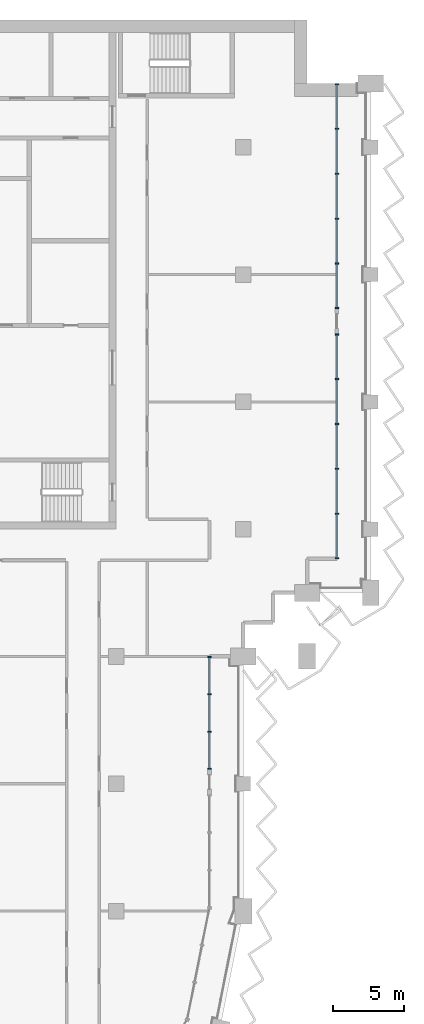
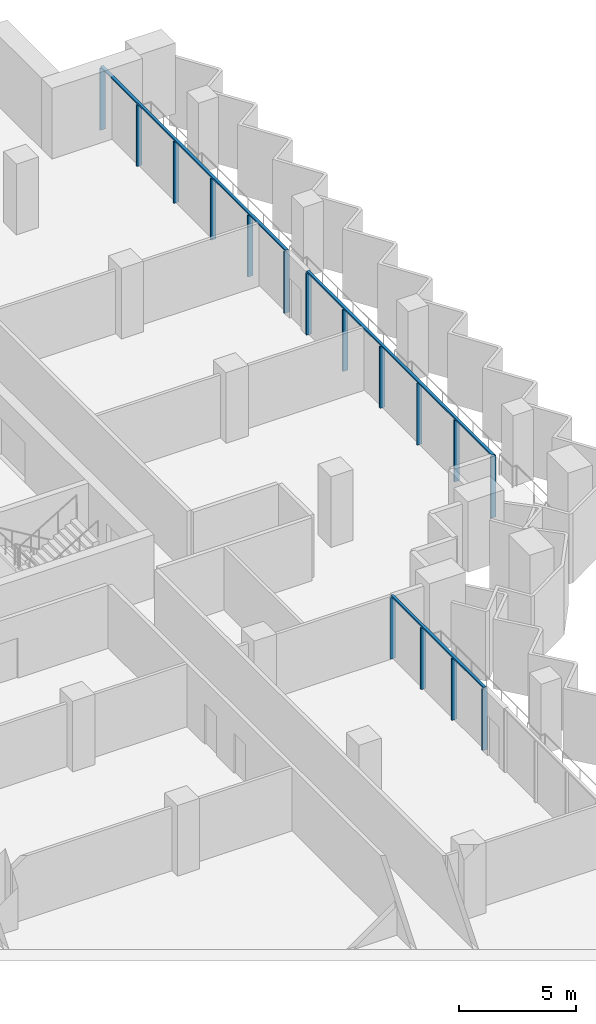
# One storey, part 3 of 18: 19 members, 3 elements without a shape of their own.
"""IFC4 building model written with IfcOpenShell, lengths in metres."""

from ifc_helpers import new_model, si_unit, direction, frame, origin, origin_2d, place, context, subcontext, project, spatial, rectangle, extrude, material, material_profile, profile_set, type_object, element, aggregate, save


model = new_model("IFC4")

# Units and contexts
model_context = context("Model", 3, precision=1e-05, world=origin(), true_north=direction((0.0, 1.0)))
body_context = subcontext(model_context, "Body", "Model", "MODEL_VIEW")
ifc_project = project(units=[si_unit("LENGTHUNIT", "METRE"), si_unit("AREAUNIT", "SQUARE_METRE"), si_unit("VOLUMEUNIT", "CUBIC_METRE"), si_unit("PLANEANGLEUNIT", "RADIAN"), si_unit("MASSUNIT", "GRAM", prefix="KILO")], contexts=[model_context])

# Site, building, storey
site_placement = place(None, origin())
site = spatial("IfcSite", under=ifc_project, at=site_placement, CompositionType="ELEMENT")
building_placement = place(site_placement, origin())
building = spatial("IfcBuilding", under=site, at=building_placement, Name="Hunhe Ridgeline Campus", CompositionType="ELEMENT")
storey_placement = place(building_placement, frame((0.0, 0.0, 182.800048828125)))
storey = spatial("IfcBuildingStorey", under=building, at=storey_placement, Name="L46", CompositionType="ELEMENT", Elevation=182.800048828125)

# Curtain wall, members
ifc_material = material(Name="Aluminium 6063", Category="aluminium")
curtain_wall_type = type_object("IfcCurtainWallType", Name="Curtain wall CW-4", PredefinedType="NOTDEFINED", material=ifc_material)
curtain_wall_1_placement = place(storey_placement, origin())
curtain_wall_1 = element("IfcCurtainWall", 1, at=curtain_wall_1_placement, inside=storey, type_object=curtain_wall_type, Name="Curtain wall 14", PredefinedType="NOTDEFINED")
ifc_material_profile_1 = material_profile(ifc_material, rectangle(XDim=0.25, YDim=0.080078125, at=origin_2d()))
ifc_profile_set_1 = profile_set([ifc_material_profile_1], Name="Aluminium 6063")
member_type_1 = type_object("IfcMemberType", Name="CW-4 aluminium mullion", PredefinedType="MULLION", material=ifc_profile_set_1)
member_1_placement = place(storey_placement, frame((42.59912109375, 46.05859375, 0.0), z_axis=(0.0, 0.0, 1.0), x_axis=(-0.999999999978, 6.639948e-06, 0.0)))
member_1 = element("IfcMember", 2, at=member_1_placement, type_object=member_type_1, Name="CW-4 mullion 1", PredefinedType="MULLION", context=body_context, shape_type="SweptSolid", body=[
    extrude(rectangle(XDim=0.25, YDim=0.080078125, at=origin_2d()), origin(), (0.0, 0.0, 1.0), 3.219970703125),
])
member_2_placement = place(storey_placement, frame((42.59912109375, 48.67919921875, 0.0), z_axis=(0.0, 0.0, 1.0), x_axis=(-0.999999999978, 6.639948e-06, 0.0)))
member_2 = element("IfcMember", 3, at=member_2_placement, type_object=member_type_1, Name="CW-4 mullion 2", PredefinedType="MULLION", context=body_context, shape_type="SweptSolid", body=[
    extrude(rectangle(XDim=0.25, YDim=0.080078125, at=origin_2d()), origin(), (0.0, 0.0, 1.0), 3.219970703125),
])
member_3_placement = place(storey_placement, frame((42.59912109375, 51.33984375, 0.0), z_axis=(0.0, 0.0, 1.0), x_axis=(-0.999999999978, 6.639948e-06, 0.0)))
member_3 = element("IfcMember", 4, at=member_3_placement, type_object=member_type_1, Name="CW-4 mullion 3", PredefinedType="MULLION", context=body_context, shape_type="SweptSolid", body=[
    extrude(rectangle(XDim=0.25, YDim=0.080078125, at=origin_2d()), origin(), (0.0, 0.0, 1.0), 3.219970703125),
])
member_4_placement = place(storey_placement, frame((42.59912109375, 53.96044921875, 0.0), z_axis=(0.0, 0.0, 1.0), x_axis=(-0.999999999978, 6.639948e-06, 0.0)))
member_4 = element("IfcMember", 5, at=member_4_placement, type_object=member_type_1, Name="CW-4 mullion 4", PredefinedType="MULLION", context=body_context, shape_type="SweptSolid", body=[
    extrude(rectangle(XDim=0.25, YDim=0.080078125, at=origin_2d()), origin(), (0.0, 0.0, 1.0), 3.219970703125),
])

curtain_wall_2_placement = place(storey_placement, origin())
curtain_wall_2 = element("IfcCurtainWall", 6, at=curtain_wall_2_placement, inside=storey, type_object=curtain_wall_type, Name="Curtain wall 15", PredefinedType="NOTDEFINED")
member_5_placement = place(storey_placement, frame((51.59912109375, 60.94091796875, 0.0), z_axis=(0.0, 0.0, 1.0), x_axis=(-1.0, 0.0, 0.0)))
member_5 = element("IfcMember", 7, at=member_5_placement, type_object=member_type_1, Name="CW-4 mullion 1", PredefinedType="MULLION", context=body_context, shape_type="SweptSolid", body=[
    extrude(rectangle(XDim=0.25, YDim=0.080078125, at=origin_2d()), origin(), (0.0, 0.0, 1.0), 3.219970703125),
])
member_6_placement = place(storey_placement, frame((51.59912109375, 64.080810546875, 0.0), z_axis=(0.0, 0.0, 1.0), x_axis=(-1.0, 0.0, 0.0)))
member_6 = element("IfcMember", 8, at=member_6_placement, type_object=member_type_1, Name="CW-4 mullion 2", PredefinedType="MULLION", context=body_context, shape_type="SweptSolid", body=[
    extrude(rectangle(XDim=0.25, YDim=0.080078125, at=origin_2d()), origin(), (0.0, 0.0, 1.0), 3.219970703125),
])
member_7_placement = place(storey_placement, frame((51.59912109375, 67.2607421875, 0.0), z_axis=(0.0, 0.0, 1.0), x_axis=(-1.0, 0.0, 0.0)))
member_7 = element("IfcMember", 9, at=member_7_placement, type_object=member_type_1, Name="CW-4 mullion 3", PredefinedType="MULLION", context=body_context, shape_type="SweptSolid", body=[
    extrude(rectangle(XDim=0.25, YDim=0.080078125, at=origin_2d()), origin(), (0.0, 0.0, 1.0), 3.219970703125),
])
member_8_placement = place(storey_placement, frame((51.59912109375, 70.440673828125, 0.0), z_axis=(0.0, 0.0, 1.0), x_axis=(-1.0, 0.0, 0.0)))
member_8 = element("IfcMember", 10, at=member_8_placement, type_object=member_type_1, Name="CW-4 mullion 4", PredefinedType="MULLION", context=body_context, shape_type="SweptSolid", body=[
    extrude(rectangle(XDim=0.25, YDim=0.080078125, at=origin_2d()), origin(), (0.0, 0.0, 1.0), 3.219970703125),
])
member_9_placement = place(storey_placement, frame((51.59912109375, 73.62060546875, 0.0), z_axis=(0.0, 0.0, 1.0), x_axis=(-1.0, 0.0, 0.0)))
member_9 = element("IfcMember", 11, at=member_9_placement, type_object=member_type_1, Name="CW-4 mullion 5", PredefinedType="MULLION", context=body_context, shape_type="SweptSolid", body=[
    extrude(rectangle(XDim=0.25, YDim=0.080078125, at=origin_2d()), origin(), (0.0, 0.0, 1.0), 3.219970703125),
])
member_10_placement = place(storey_placement, frame((51.59912109375, 76.760498046875, 0.0), z_axis=(0.0, 0.0, 1.0), x_axis=(-1.0, 0.0, 0.0)))
member_10 = element("IfcMember", 12, at=member_10_placement, type_object=member_type_1, Name="CW-4 mullion 6", PredefinedType="MULLION", context=body_context, shape_type="SweptSolid", body=[
    extrude(rectangle(XDim=0.25, YDim=0.080078125, at=origin_2d()), origin(), (0.0, 0.0, 1.0), 3.219970703125),
])

curtain_wall_3_placement = place(storey_placement, origin())
curtain_wall_3 = element("IfcCurtainWall", 13, at=curtain_wall_3_placement, inside=storey, type_object=curtain_wall_type, Name="Curtain wall 16", PredefinedType="NOTDEFINED")
member_11_placement = place(storey_placement, frame((51.59912109375, 78.640380859375, 0.0), z_axis=(0.0, 0.0, 1.0), x_axis=(-1.0, 0.0, 0.0)))
member_11 = element("IfcMember", 14, at=member_11_placement, type_object=member_type_1, Name="CW-4 mullion 1", PredefinedType="MULLION", context=body_context, shape_type="SweptSolid", body=[
    extrude(rectangle(XDim=0.25, YDim=0.080078125, at=origin_2d()), origin(), (0.0, 0.0, 1.0), 3.219970703125),
])
member_12_placement = place(storey_placement, frame((51.59912109375, 81.780517578125, 0.0), z_axis=(0.0, 0.0, 1.0), x_axis=(-1.0, 0.0, 0.0)))
member_12 = element("IfcMember", 15, at=member_12_placement, type_object=member_type_1, Name="CW-4 mullion 2", PredefinedType="MULLION", context=body_context, shape_type="SweptSolid", body=[
    extrude(rectangle(XDim=0.25, YDim=0.080078125, at=origin_2d()), origin(), (0.0, 0.0, 1.0), 3.219970703125),
])
member_13_placement = place(storey_placement, frame((51.59912109375, 84.960205078125, 0.0), z_axis=(0.0, 0.0, 1.0), x_axis=(-1.0, 0.0, 0.0)))
member_13 = element("IfcMember", 16, at=member_13_placement, type_object=member_type_1, Name="CW-4 mullion 3", PredefinedType="MULLION", context=body_context, shape_type="SweptSolid", body=[
    extrude(rectangle(XDim=0.25, YDim=0.080078125, at=origin_2d()), origin(), (0.0, 0.0, 1.0), 3.219970703125),
])
member_14_placement = place(storey_placement, frame((51.59912109375, 88.14013671875, 0.0), z_axis=(0.0, 0.0, 1.0), x_axis=(-1.0, 0.0, 0.0)))
member_14 = element("IfcMember", 17, at=member_14_placement, type_object=member_type_1, Name="CW-4 mullion 4", PredefinedType="MULLION", context=body_context, shape_type="SweptSolid", body=[
    extrude(rectangle(XDim=0.25, YDim=0.080078125, at=origin_2d()), origin(), (0.0, 0.0, 1.0), 3.219970703125),
])
member_15_placement = place(storey_placement, frame((51.59912109375, 91.320068359375, 0.0), z_axis=(0.0, 0.0, 1.0), x_axis=(-1.0, 0.0, 0.0)))
member_15 = element("IfcMember", 18, at=member_15_placement, type_object=member_type_1, Name="CW-4 mullion 5", PredefinedType="MULLION", context=body_context, shape_type="SweptSolid", body=[
    extrude(rectangle(XDim=0.25, YDim=0.080078125, at=origin_2d()), origin(), (0.0, 0.0, 1.0), 3.219970703125),
])
member_16_placement = place(storey_placement, frame((51.59912109375, 94.4599609375, 0.0), z_axis=(0.0, 0.0, 1.0), x_axis=(-1.0, 0.0, 0.0)))
member_16 = element("IfcMember", 19, at=member_16_placement, type_object=member_type_1, Name="CW-4 mullion 6", PredefinedType="MULLION", context=body_context, shape_type="SweptSolid", body=[
    extrude(rectangle(XDim=0.25, YDim=0.080078125, at=origin_2d()), origin(), (0.0, 0.0, 1.0), 3.219970703125),
])

# Member
ifc_material_profile_2 = material_profile(ifc_material, rectangle(XDim=0.139892578125, YDim=0.080078125, at=origin_2d()))
ifc_profile_set_2 = profile_set([ifc_material_profile_2], Name="Aluminium 6063")
member_type_2 = type_object("IfcMemberType", Name="CW-4 aluminium transom", PredefinedType="USERDEFINED", material=ifc_profile_set_2)
member_17_placement = place(storey_placement, frame((42.59912109375, 46.0185546875, 3.260009765625), z_axis=(0.0, 1.0, 0.0), x_axis=(-1.0, 0.0, 0.0)))
member_17 = element("IfcMember", 20, at=member_17_placement, type_object=member_type_2, Name="CW-4 transom 1", ObjectType="TRANSOM", PredefinedType="USERDEFINED", context=body_context, shape_type="SweptSolid", body=[
    extrude(rectangle(XDim=0.139892578125, YDim=0.080078125, at=origin_2d()), origin(), (0.0, 0.0, 1.0), 7.98193359375),
])

aggregate(curtain_wall_1, [member_17, member_1, member_2, member_3, member_4])

member_18_placement = place(storey_placement, frame((51.59912109375, 60.90087890625, 3.260009765625), z_axis=(0.0, 1.0, 0.0), x_axis=(-1.0, 0.0, 0.0)))
member_18 = element("IfcMember", 21, at=member_18_placement, type_object=member_type_2, Name="CW-4 transom 1", ObjectType="TRANSOM", PredefinedType="USERDEFINED", context=body_context, shape_type="SweptSolid", body=[
    extrude(rectangle(XDim=0.139892578125, YDim=0.080078125, at=origin_2d()), origin(), (0.0, 0.0, 1.0), 15.899658203125),
])

aggregate(curtain_wall_2, [member_18, member_5, member_6, member_7, member_8, member_9, member_10])

member_19_placement = place(storey_placement, frame((51.59912109375, 78.6005859375, 3.260009765625), z_axis=(0.0, 1.0, 0.0), x_axis=(-1.0, 0.0, 0.0)))
member_19 = element("IfcMember", 22, at=member_19_placement, type_object=member_type_2, Name="CW-4 transom 1", ObjectType="TRANSOM", PredefinedType="USERDEFINED", context=body_context, shape_type="SweptSolid", body=[
    extrude(rectangle(XDim=0.139892578125, YDim=0.080078125, at=origin_2d()), origin(), (0.0, 0.0, 1.0), 15.8994140625),
])

aggregate(curtain_wall_3, [member_19, member_11, member_12, member_13, member_14, member_15, member_16])

save(model, "model.ifc")
